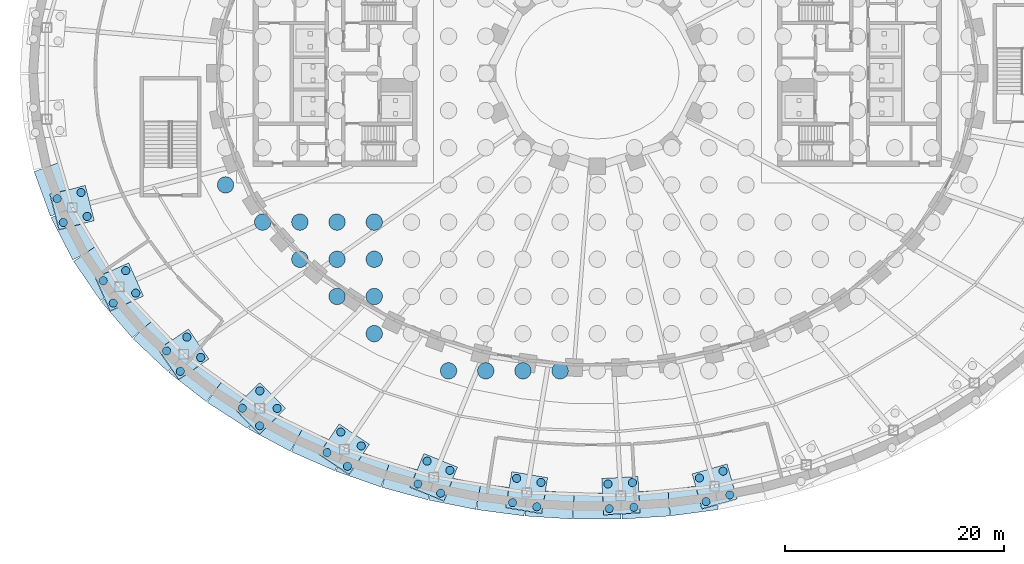
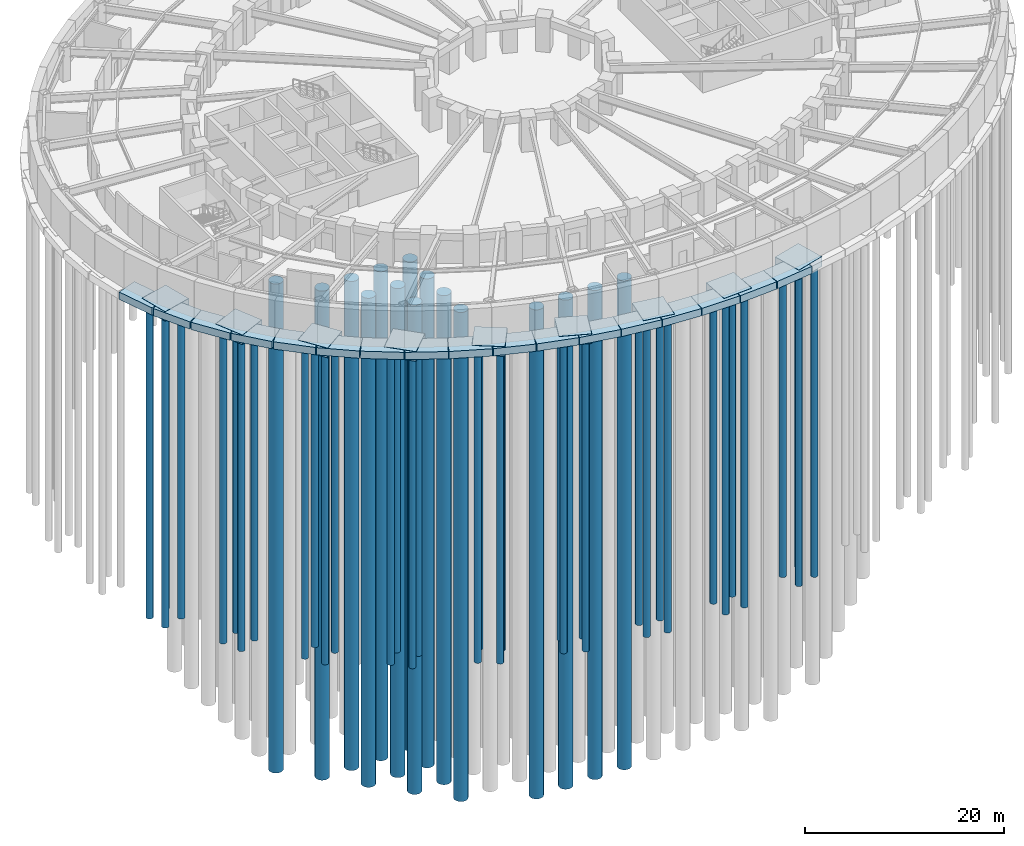
# One storey, part 1 of 19: 51 piles, 26 footings.
"""IFC4 building model written with IfcOpenShell, lengths in metres."""

from ifc_helpers import new_model, si_unit, direction, frame, origin, origin_2d, place, context, subcontext, project, spatial, polyline, circle, outline, extrude, material, layer, layer_set, material_profile, profile_set, type_object, element, save


model = new_model("IFC4")

# Units and contexts
model_context = context("Model", 3, precision=1e-05, world=origin(), true_north=direction((0.0, 1.0)))
body_context = subcontext(model_context, "Body", "Model", "MODEL_VIEW")
ifc_project = project(units=[si_unit("LENGTHUNIT", "METRE"), si_unit("AREAUNIT", "SQUARE_METRE"), si_unit("VOLUMEUNIT", "CUBIC_METRE"), si_unit("PLANEANGLEUNIT", "RADIAN"), si_unit("MASSUNIT", "GRAM", prefix="KILO")], contexts=[model_context])

# Site, building, storey
site_placement = place(None, origin())
site = spatial("IfcSite", under=ifc_project, at=site_placement, CompositionType="ELEMENT")
building_placement = place(site_placement, origin())
building = spatial("IfcBuilding", under=site, at=building_placement, Name="Noorbagh Ring Tower", CompositionType="ELEMENT")
storey_placement = place(building_placement, frame((0.0, 0.0, -8.39990234375)))
storey = spatial("IfcBuildingStorey", under=building, at=storey_placement, Name="B2", CompositionType="ELEMENT", Elevation=-8.39990234375)

# Footings
ifc_material_1 = material(Name="Concrete C50/60", Category="concrete")
ifc_layer_1 = layer(ifc_material_1, 1.199951171875)
ifc_layer_set_1 = layer_set([ifc_layer_1], Name="Concrete C50/60")
footing_type_1 = type_object("IfcFootingType", Name="GND-PODIUM-CAP", PredefinedType="PILE_CAP", material=ifc_layer_set_1)
footing_1_placement = place(storey_placement, frame((0.0, 0.0, -1.5)))
element("IfcFooting", 1, at=footing_1_placement, inside=storey, type_object=footing_type_1, Name="B2/cap/RP-19", PredefinedType="PILE_CAP", context=body_context, shape_type="SweptSolid", body=[
    extrude(outline(polyline([(-46.82470703125, -10.24755859375), (-50.04150390625, -11.0693359375), (-49.219970703125, -14.2861328125), (-46.003173828125, -13.46435546875), (-46.82470703125, -10.24755859375)])), origin(), (0.0, 0.0, 1.0), 1.199951171875),
])
footing_2_placement = place(storey_placement, frame((0.0, 0.0, -1.5)))
element("IfcFooting", 2, at=footing_2_placement, inside=storey, type_object=footing_type_1, Name="B2/cap/RP-20", PredefinedType="PILE_CAP", context=body_context, shape_type="SweptSolid", body=[
    extrude(outline(polyline([(-42.85791015625, -17.33203125), (-45.88916015625, -18.6865234375), (-44.53466796875, -21.7177734375), (-41.503662109375, -20.36328125), (-42.85791015625, -17.33203125)])), origin(), (0.0, 0.0, 1.0), 1.199951171875),
])
footing_3_placement = place(storey_placement, frame((0.0, 0.0, -1.5)))
element("IfcFooting", 3, at=footing_3_placement, inside=storey, type_object=footing_type_1, Name="B2/cap/RP-21", PredefinedType="PILE_CAP", context=body_context, shape_type="SweptSolid", body=[
    extrude(outline(polyline([(-37.391845703125, -23.3740234375), (-40.138916015625, -25.238525390625), (-38.2744140625, -27.985595703125), (-35.52734375, -26.12109375), (-37.391845703125, -23.3740234375)])), origin(), (0.0, 0.0, 1.0), 1.199951171875),
])
footing_4_placement = place(storey_placement, frame((0.0, 0.0, -1.5)))
element("IfcFooting", 4, at=footing_4_placement, inside=storey, type_object=footing_type_1, Name="B2/cap/RP-22", PredefinedType="PILE_CAP", context=body_context, shape_type="SweptSolid", body=[
    extrude(outline(polyline([(-30.860107421875, -28.281494140625), (-33.216796875, -30.619873046875), (-30.87841796875, -32.9765625), (-28.521728515625, -30.63818359375), (-30.860107421875, -28.281494140625)])), origin(), (0.0, 0.0, 1.0), 1.199951171875),
])
footing_5_placement = place(storey_placement, frame((0.0, 0.0, -1.5)))
element("IfcFooting", 5, at=footing_5_placement, inside=storey, type_object=footing_type_1, Name="B2/cap/RP-23", PredefinedType="PILE_CAP", context=body_context, shape_type="SweptSolid", body=[
    extrude(outline(polyline([(-23.601806640625, -32.0634765625), (-25.456787109375, -34.81689453125), (-22.703125, -36.671875), (-20.848388671875, -33.918212890625), (-23.601806640625, -32.0634765625)])), origin(), (0.0, 0.0, 1.0), 1.199951171875),
])
footing_6_placement = place(storey_placement, frame((0.0, 0.0, -1.5)))
element("IfcFooting", 6, at=footing_6_placement, inside=storey, type_object=footing_type_1, Name="B2/cap/RP-24", PredefinedType="PILE_CAP", context=body_context, shape_type="SweptSolid", body=[
    extrude(outline(polyline([(-15.862060546875, -34.763427734375), (-17.107666015625, -37.8408203125), (-14.030029296875, -39.086669921875), (-12.784423828125, -36.009033203125), (-15.862060546875, -34.763427734375)])), origin(), (0.0, 0.0, 1.0), 1.199951171875),
])
footing_7_placement = place(storey_placement, frame((0.0, 0.0, -1.5)))
element("IfcFooting", 7, at=footing_7_placement, inside=storey, type_object=footing_type_1, Name="B2/cap/RP-25", PredefinedType="PILE_CAP", context=body_context, shape_type="SweptSolid", body=[
    extrude(outline(polyline([(-7.8154296875, -36.421142578125), (-8.36669921875, -39.695068359375), (-5.0927734375, -40.24609375), (-4.54150390625, -36.97216796875), (-7.8154296875, -36.421142578125)])), origin(), (0.0, 0.0, 1.0), 1.199951171875),
])
footing_8_placement = place(storey_placement, frame((0.0, 0.0, -1.5)))
element("IfcFooting", 8, at=footing_8_placement, inside=storey, type_object=footing_type_1, Name="B2/cap/RP-26", PredefinedType="PILE_CAP", context=body_context, shape_type="SweptSolid", body=[
    extrude(outline(polyline([(0.404541015625, -37.04931640625), (0.589599609375, -40.364013671875), (3.904541015625, -40.17919921875), (3.719482421875, -36.8642578125), (0.404541015625, -37.04931640625)])), origin(), (0.0, 0.0, 1.0), 1.199951171875),
])
footing_9_placement = place(storey_placement, frame((0.0, 0.0, -1.5)))
element("IfcFooting", 9, at=footing_9_placement, inside=storey, type_object=footing_type_1, Name="B2/cap/RP-27", PredefinedType="PILE_CAP", context=body_context, shape_type="SweptSolid", body=[
    extrude(outline(polyline([(8.67431640625, -36.627685546875), (9.5810546875, -39.821533203125), (12.77490234375, -38.914794921875), (11.8681640625, -35.720947265625), (8.67431640625, -36.627685546875)])), origin(), (0.0, 0.0, 1.0), 1.199951171875),
])

# Piles
ifc_material_2 = material(Name="Concrete C50/60", Category="concrete")
ifc_material_profile_1 = material_profile(ifc_material_2, circle(Radius=0.375, at=origin_2d()), Name="PILE750")
ifc_profile_set_1 = profile_set([ifc_material_profile_1], Name="Concrete C50/60")
pile_type_1 = type_object("IfcPileType", Name="GND-PODIUM-PILE", PredefinedType="BORED", material=ifc_profile_set_1)
for number, where, z_axis, x_axis, name in (
    (10, (-47.210693359375, -10.8984375, -1.400146484375), (0.0, 0.0, -1.0), (1.0, 0.0, 0.0), "B2/pile/RP-19-1"),
    (11, (-46.65380859375, -13.078369140625, -1.400146484375), (0.0, 0.0, -1.0), (1.0, 0.0, 0.0), "B2/pile/RP-19-2"),
    (12, (-49.390869140625, -11.455322265625, -1.400146484375), (0.0, 0.0, -1.0), (1.0, 0.0, 0.0), "B2/pile/RP-19-3"),
    (13, (-48.833984375, -13.63525390625, -1.400146484375), (0.0, 0.0, -1.0), (1.0, 0.0, 0.0), "B2/pile/RP-19-4"),
    (14, (-43.128173828125, -18.038818359375, -1.400146484375), (0.0, 0.0, -1.0), (1.0, 0.0, 0.0), "B2/pile/RP-20-1"),
    (15, (-42.210205078125, -20.093017578125, -1.400146484375), (0.0, 0.0, -1.0), (1.0, 0.0, 0.0), "B2/pile/RP-20-2"),
    (16, (-45.182373046875, -18.956787109375, -1.400146484375), (0.0, 0.0, -1.0), (1.0, 0.0, 0.0), "B2/pile/RP-20-3"),
    (17, (-44.264404296875, -21.010986328125, -1.400146484375), (0.0, 0.0, -1.0), (1.0, 0.0, 0.0), "B2/pile/RP-20-4"),
    (18, (-37.5341796875, -24.1171875, -1.400146484375), (0.0, 0.0, -1.0), (1.0, 0.0, 0.0), "B2/pile/RP-21-1"),
    (19, (-36.2705078125, -25.978759765625, -1.400146484375), (0.0, 0.0, -1.0), (1.0, 0.0, 0.0), "B2/pile/RP-21-2"),
    (20, (-39.395751953125, -25.380859375, -1.400146484375), (0.0, 0.0, -1.0), (1.0, 0.0, 0.0), "B2/pile/RP-21-3"),
    (21, (-38.132080078125, -27.242431640625, -1.400146484375), (0.0, 0.0, -1.0), (1.0, 0.0, 0.0), "B2/pile/RP-21-4"),
    (22, (-30.863037109375, -29.0380859375, -1.400146484375), (0.0, 0.0, -1.0), (1.0, 0.0, 0.0), "B2/pile/RP-22-1"),
    (23, (-29.2783203125, -30.63525390625, -1.400146484375), (0.0, 0.0, -1.0), (1.0, 0.0, 0.0), "B2/pile/RP-22-2"),
    (24, (-32.460205078125, -30.622802734375, -1.400146484375), (0.0, 0.0, -1.0), (1.0, 0.0, 0.0), "B2/pile/RP-22-3"),
    (25, (-30.87548828125, -32.219970703125, -1.400146484375), (0.0, 0.0, -1.0), (1.0, 0.0, 0.0), "B2/pile/RP-22-4"),
    (26, (-23.45703125, -32.805908203125, -1.400146484375), (0.0, 0.0, -1.0), (1.0, 0.0, 0.0), "B2/pile/RP-23-1"),
    (27, (-21.5908203125, -34.063232421875, -1.400146484375), (0.0, 0.0, -1.0), (1.0, 0.0, 0.0), "B2/pile/RP-23-2"),
    (28, (-24.714111328125, -34.672119140625, -1.400146484375), (0.0, 0.0, -1.0), (1.0, 0.0, 0.0), "B2/pile/RP-23-3"),
    (29, (-22.847900390625, -35.92919921875, -1.400146484375), (0.0, 0.0, -1.0), (1.0, 0.0, 0.0), "B2/pile/RP-23-4"),
    (30, (-15.566650390625, -35.460205078125, -1.400146484375), (0.0, 0.0, -1.0), (1.0, 0.0, 0.0), "B2/pile/RP-24-1"),
    (31, (-13.481201171875, -36.30419921875, -1.400146484375), (0.0, 0.0, -1.0), (1.0, 0.0, 0.0), "B2/pile/RP-24-2"),
    (32, (-16.410888671875, -37.545654296875, -1.400146484375), (0.0, 0.0, -1.0), (1.0, 0.0, 0.0), "B2/pile/RP-24-3"),
    (33, (-14.325439453125, -38.389892578125, -1.400146484375), (0.0, 0.0, -1.0), (1.0, 0.0, 0.0), "B2/pile/RP-24-4"),
    (34, (-7.376708984375, -37.037353515625, -1.400146484375), (0.0, 0.0, -1.0), (1.0, 0.0, 0.0), "B2/pile/RP-25-1"),
    (35, (-5.157958984375, -37.410888671875, -1.400146484375), (0.0, 0.0, -1.0), (1.0, 0.0, 0.0), "B2/pile/RP-25-2"),
    (36, (-7.750244140625, -39.256103515625, -1.400146484375), (0.0, 0.0, -1.0), (1.0, 0.0, 0.0), "B2/pile/RP-25-3"),
    (37, (-5.531494140625, -39.6298828125, -1.400146484375), (0.0, 0.0, -1.0), (1.0, 0.0, 0.0), "B2/pile/RP-25-4"),
    (38, (0.968505859375, -37.5537109375, -1.400146484375), (0.0, 0.0, -1.0), (1.0, 0.0, 0.0), "B2/pile/RP-26-1"),
    (39, (3.215087890625, -37.42822265625, -1.400146484375), (0.0, 0.0, -1.0), (1.0, 0.0, 0.0), "B2/pile/RP-26-2"),
    (40, (1.093994140625, -39.800048828125, -1.400146484375), (0.0, 0.0, -1.0), (1.0, 0.0, 0.0), "B2/pile/RP-26-3"),
    (41, (3.34033203125, -39.6748046875, -1.400146484375), (0.0, 0.0, -1.0), (1.0, 0.0, 0.0), "B2/pile/RP-26-4"),
    (42, (9.335205078125, -36.996337890625, -1.400146484375), (0.0, 0.0, -1.0), (1.0, 0.0, 0.0), "B2/pile/RP-27-1"),
    (43, (11.49951171875, -36.3818359375, -1.400146484375), (0.0, 0.0, -1.0), (1.0, 0.0, 0.0), "B2/pile/RP-27-2"),
    (44, (9.94970703125, -39.160888671875, -1.400146484375), (0.0, 0.0, -1.0), (1.0, 0.0, 0.0), "B2/pile/RP-27-3"),
    (45, (12.114013671875, -38.546142578125, -1.400146484375), (0.0, 0.0, -1.0), (1.0, 0.0, 0.0), "B2/pile/RP-27-4"),
):
    element("IfcPile", number, at=place(storey_placement, frame(where, z_axis=z_axis, x_axis=x_axis)), inside=storey, type_object=pile_type_1, Name=name, PredefinedType="BORED", context=body_context, shape_type="SweptSolid", body=[
        extrude(circle(Radius=0.375, at=origin_2d()), origin(), (0.0, 0.0, 1.0), 38.0),
    ])
ifc_material_3 = material(Name="Concrete C40/50", Category="concrete")
ifc_material_profile_2 = material_profile(ifc_material_3, circle(Radius=0.75, at=origin_2d()), Name="PILE1500")
ifc_profile_set_2 = profile_set([ifc_material_profile_2], Name="Concrete C40/50")
pile_type_2 = type_object("IfcPileType", Name="STR-PILE", PredefinedType="BORED", material=ifc_profile_set_2)
for number, where, z_axis, x_axis, name in (
    (46, (-34.0, -10.199951171875, -4.2001953125), (0.0, 0.0, -1.0), (1.0, 0.0, 0.0), "B2/pile/001"),
    (47, (-30.60009765625, -13.60009765625, -4.2001953125), (0.0, 0.0, -1.0), (1.0, 0.0, 0.0), "B2/pile/008"),
    (48, (-27.199951171875, -17.0, -4.2001953125), (0.0, 0.0, -1.0), (1.0, 0.0, 0.0), "B2/pile/010"),
    (49, (-27.199951171875, -13.60009765625, -4.2001953125), (0.0, 0.0, -1.0), (1.0, 0.0, 0.0), "B2/pile/011"),
    (50, (-23.800048828125, -20.39990234375, -4.2001953125), (0.0, 0.0, -1.0), (1.0, 0.0, 0.0), "B2/pile/014"),
    (51, (-23.800048828125, -17.0, -4.2001953125), (0.0, 0.0, -1.0), (1.0, 0.0, 0.0), "B2/pile/015"),
    (52, (-23.800048828125, -13.60009765625, -4.2001953125), (0.0, 0.0, -1.0), (1.0, 0.0, 0.0), "B2/pile/016"),
    (53, (-20.39990234375, -23.800048828125, -4.2001953125), (0.0, 0.0, -1.0), (1.0, 0.0, 0.0), "B2/pile/020"),
    (54, (-20.39990234375, -20.39990234375, -4.2001953125), (0.0, 0.0, -1.0), (1.0, 0.0, 0.0), "B2/pile/021"),
    (55, (-20.39990234375, -17.0, -4.2001953125), (0.0, 0.0, -1.0), (1.0, 0.0, 0.0), "B2/pile/022"),
    (56, (-20.39990234375, -13.60009765625, -4.2001953125), (0.0, 0.0, -1.0), (1.0, 0.0, 0.0), "B2/pile/023"),
    (57, (-13.60009765625, -27.199951171875, -4.2001953125), (0.0, 0.0, -1.0), (1.0, 0.0, 0.0), "B2/pile/036"),
    (58, (-10.199951171875, -27.199951171875, -4.2001953125), (0.0, 0.0, -1.0), (1.0, 0.0, 0.0), "B2/pile/053"),
    (59, (-6.800048828125, -27.199951171875, -4.2001953125), (0.0, 0.0, -1.0), (1.0, 0.0, 0.0), "B2/pile/070"),
    (60, (-3.39990234375, -27.199951171875, -4.2001953125), (0.0, 0.0, -1.0), (1.0, 0.0, 0.0), "B2/pile/084"),
):
    element("IfcPile", number, at=place(storey_placement, frame(where, z_axis=z_axis, x_axis=x_axis)), inside=storey, type_object=pile_type_2, Name=name, PredefinedType="BORED", context=body_context, shape_type="SweptSolid", body=[
        extrude(circle(Radius=0.75, at=origin_2d()), origin(), (0.0, 0.0, 1.0), 60.0),
    ])

# Footings
ifc_material_4 = material(Name="Concrete C40/50", Category="concrete")
ifc_layer_2 = layer(ifc_material_4, 0.89990234375)
ifc_layer_set_2 = layer_set([ifc_layer_2], Name="Concrete C40/50")
footing_type_2 = type_object("IfcFootingType", Name="STR-RETAINING-FOOTING", PredefinedType="STRIP_FOOTING", material=ifc_layer_set_2)
footing_10_placement = place(storey_placement, frame((0.0, 0.0, -1.2001953125)))
element("IfcFooting", 61, at=footing_10_placement, inside=storey, type_object=footing_type_2, Name="B2/footing/ret-36", PredefinedType="STRIP_FOOTING", context=body_context, shape_type="SweptSolid", body=[
    extrude(outline(polyline([(-50.022216796875, -13.05810546875), (-51.50390625, -8.977294921875), (-49.248046875, -8.158203125), (-48.35498046875, -10.617919921875), (-50.04638671875, -11.0498046875), (-50.04833984375, -11.050537109375), (-50.05029296875, -11.05126953125), (-50.052001953125, -11.05224609375), (-50.053466796875, -11.05322265625), (-50.054931640625, -11.0546875), (-50.056396484375, -11.055908203125), (-50.0576171875, -11.0576171875), (-50.05859375, -11.05908203125), (-50.059814453125, -11.060791015625), (-50.060302734375, -11.062744140625), (-50.06103515625, -11.064453125), (-50.061279296875, -11.06640625), (-50.0615234375, -11.068359375), (-50.0615234375, -11.0703125), (-50.061279296875, -11.072265625), (-50.060791015625, -11.07421875), (-49.593994140625, -12.902587890625), (-50.022216796875, -13.05810546875)])), origin(), (0.0, 0.0, 1.0), 0.900146484375),
])
footing_11_placement = place(storey_placement, frame((0.0, 0.0, -1.2001953125)))
element("IfcFooting", 62, at=footing_11_placement, inside=storey, type_object=footing_type_2, Name="B2/footing/ret-37", PredefinedType="STRIP_FOOTING", context=body_context, shape_type="SweptSolid", body=[
    extrude(outline(polyline([(-47.96484375, -17.0595703125), (-49.96044921875, -13.19970703125), (-49.569580078125, -12.997802734375), (-49.2392578125, -14.291015625), (-49.23876953125, -14.29296875), (-49.23779296875, -14.294677734375), (-49.237060546875, -14.29638671875), (-49.23583984375, -14.298095703125), (-49.234619140625, -14.299560546875), (-49.233154296875, -14.30078125), (-49.231689453125, -14.302001953125), (-49.22998046875, -14.30322265625), (-49.228271484375, -14.30419921875), (-49.2265625, -14.304931640625), (-49.224609375, -14.305419921875), (-49.22265625, -14.305908203125), (-49.220703125, -14.305908203125), (-49.21875, -14.305908203125), (-49.216796875, -14.305908203125), (-49.21484375, -14.305419921875), (-46.98193359375, -13.735107421875), (-45.8330078125, -15.957275390625), (-47.96484375, -17.0595703125)])), origin(), (0.0, 0.0, 1.0), 0.900146484375),
])
footing_12_placement = place(storey_placement, frame((0.0, 0.0, -1.2001953125)))
element("IfcFooting", 63, at=footing_12_placement, inside=storey, type_object=footing_type_2, Name="B2/footing/ret-38", PredefinedType="STRIP_FOOTING", context=body_context, shape_type="SweptSolid", body=[
    extrude(outline(polyline([(-45.44384765625, -20.77880859375), (-47.890869140625, -17.18359375), (-45.906982421875, -15.8330078125), (-44.4248046875, -18.010498046875), (-45.897216796875, -18.668212890625), (-45.899169921875, -18.669189453125), (-45.900634765625, -18.670166015625), (-45.90234375, -18.67138671875), (-45.90380859375, -18.6728515625), (-45.90478515625, -18.67431640625), (-45.906005859375, -18.67578125), (-45.906982421875, -18.677490234375), (-45.90771484375, -18.679443359375), (-45.908447265625, -18.681396484375), (-45.908935546875, -18.68310546875), (-45.9091796875, -18.68505859375), (-45.9091796875, -18.68701171875), (-45.908935546875, -18.689208984375), (-45.90869140625, -18.69091796875), (-45.908203125, -18.69287109375), (-45.907470703125, -18.694580078125), (-45.085205078125, -20.53466796875), (-45.44384765625, -20.77880859375)])), origin(), (0.0, 0.0, 1.0), 0.900146484375),
])
footing_13_placement = place(storey_placement, frame((0.0, 0.0, -1.2001953125)))
element("IfcFooting", 64, at=footing_13_placement, inside=storey, type_object=footing_type_2, Name="B2/footing/ret-39", PredefinedType="STRIP_FOOTING", context=body_context, shape_type="SweptSolid", body=[
    extrude(outline(polyline([(-42.527099609375, -24.187744140625), (-45.3623046875, -20.885009765625), (-45.048828125, -20.615966796875), (-44.552978515625, -21.725830078125), (-44.552001953125, -21.7275390625), (-44.551025390625, -21.729248046875), (-44.5498046875, -21.730712890625), (-44.548583984375, -21.732177734375), (-44.547119140625, -21.7333984375), (-44.54541015625, -21.734619140625), (-44.543701171875, -21.735595703125), (-44.5419921875, -21.736328125), (-44.5400390625, -21.737060546875), (-44.5380859375, -21.7373046875), (-44.5361328125, -21.73779296875), (-44.5341796875, -21.73779296875), (-44.5322265625, -21.737548828125), (-44.5302734375, -21.7373046875), (-44.5283203125, -21.73681640625), (-44.526611328125, -21.736083984375), (-42.31640625, -20.74853515625), (-40.7060546875, -22.62451171875), (-42.527099609375, -24.187744140625)])), origin(), (0.0, 0.0, 1.0), 0.900146484375),
])
footing_14_placement = place(storey_placement, frame((0.0, 0.0, -1.2001953125)))
element("IfcFooting", 65, at=footing_14_placement, inside=storey, type_object=footing_type_2, Name="B2/footing/ret-40", PredefinedType="STRIP_FOOTING", context=body_context, shape_type="SweptSolid", body=[
    extrude(outline(polyline([(-39.2783203125, -27.2724609375), (-42.441650390625, -24.27734375), (-40.79150390625, -22.53466796875), (-38.870361328125, -24.353515625), (-40.150146484375, -25.22216796875), (-40.151611328125, -25.223388671875), (-40.153076171875, -25.224609375), (-40.154296875, -25.22607421875), (-40.155517578125, -25.2275390625), (-40.156494140625, -25.229248046875), (-40.157470703125, -25.231201171875), (-40.158203125, -25.23291015625), (-40.158447265625, -25.23486328125), (-40.15869140625, -25.23681640625), (-40.158935546875, -25.23876953125), (-40.15869140625, -25.24072265625), (-40.158447265625, -25.24267578125), (-40.157958984375, -25.24462890625), (-40.1572265625, -25.246337890625), (-40.156494140625, -25.248291015625), (-40.155517578125, -25.25), (-38.989501953125, -26.967529296875), (-39.2783203125, -27.2724609375)])), origin(), (0.0, 0.0, 1.0), 0.900146484375),
])
footing_15_placement = place(storey_placement, frame((0.0, 0.0, -1.2001953125)))
element("IfcFooting", 66, at=footing_15_placement, inside=storey, type_object=footing_type_2, Name="B2/footing/ret-41", PredefinedType="STRIP_FOOTING", context=body_context, shape_type="SweptSolid", body=[
    extrude(outline(polyline([(-35.75390625, -30.0283203125), (-39.191162109375, -27.34716796875), (-38.945556640625, -27.0322265625), (-38.291015625, -27.996826171875), (-38.289794921875, -27.998291015625), (-38.288330078125, -28.0), (-38.286865234375, -28.001220703125), (-38.285400390625, -28.002197265625), (-38.28369140625, -28.00341796875), (-38.281982421875, -28.004150390625), (-38.280029296875, -28.0048828125), (-38.278076171875, -28.00537109375), (-38.276123046875, -28.005615234375), (-38.274169921875, -28.005615234375), (-38.272216796875, -28.005615234375), (-38.270263671875, -28.005126953125), (-38.268310546875, -28.004638671875), (-38.2666015625, -28.00390625), (-38.264892578125, -28.003173828125), (-38.26318359375, -28.002197265625), (-36.223876953125, -26.617919921875), (-34.27783203125, -28.1357421875), (-35.75390625, -30.0283203125)])), origin(), (0.0, 0.0, 1.0), 0.900146484375),
])
footing_16_placement = place(storey_placement, frame((0.0, 0.0, -1.2001953125)))
element("IfcFooting", 67, at=footing_16_placement, inside=storey, type_object=footing_type_2, Name="B2/footing/ret-42", PredefinedType="STRIP_FOOTING", context=body_context, shape_type="SweptSolid", body=[
    extrude(outline(polyline([(-32.002685546875, -32.45654296875), (-35.666748046875, -30.090087890625), (-34.36474609375, -28.073974609375), (-32.13232421875, -29.515625), (-33.23095703125, -30.605712890625), (-33.232421875, -30.607177734375), (-33.2333984375, -30.60888671875), (-33.234619140625, -30.6103515625), (-33.2353515625, -30.6123046875), (-33.236083984375, -30.614013671875), (-33.236572265625, -30.615966796875), (-33.23681640625, -30.617919921875), (-33.23681640625, -30.619873046875), (-33.23681640625, -30.621826171875), (-33.236572265625, -30.623779296875), (-33.236083984375, -30.625732421875), (-33.2353515625, -30.62744140625), (-33.234619140625, -30.62939453125), (-33.233642578125, -30.631103515625), (-33.232421875, -30.632568359375), (-33.231201171875, -30.634033203125), (-31.77392578125, -32.1025390625), (-32.002685546875, -32.45654296875)])), origin(), (0.0, 0.0, 1.0), 0.900146484375),
])
footing_17_placement = place(storey_placement, frame((0.0, 0.0, -1.2001953125)))
element("IfcFooting", 68, at=footing_17_placement, inside=storey, type_object=footing_type_2, Name="B2/footing/ret-43", PredefinedType="STRIP_FOOTING", context=body_context, shape_type="SweptSolid", body=[
    extrude(outline(polyline([(-28.06640625, -34.5625), (-31.91650390625, -32.507080078125), (-31.726318359375, -32.150634765625), (-30.892578125, -32.99072265625), (-30.89111328125, -32.9921875), (-30.8896484375, -32.993408203125), (-30.887939453125, -32.994384765625), (-30.88623046875, -32.9951171875), (-30.884521484375, -32.995849609375), (-30.882568359375, -32.996337890625), (-30.880615234375, -32.99658203125), (-30.878662109375, -32.99658203125), (-30.876708984375, -32.99658203125), (-30.874755859375, -32.996337890625), (-30.872802734375, -32.995849609375), (-30.870849609375, -32.9951171875), (-30.869140625, -32.994384765625), (-30.867431640625, -32.993408203125), (-30.865966796875, -32.9921875), (-30.864501953125, -32.990966796875), (-29.1328125, -31.272705078125), (-26.936279296875, -32.445068359375), (-28.06640625, -34.5625)])), origin(), (0.0, 0.0, 1.0), 0.900146484375),
])
footing_18_placement = place(storey_placement, frame((0.0, 0.0, -1.2001953125)))
element("IfcFooting", 69, at=footing_18_placement, inside=storey, type_object=footing_type_2, Name="B2/footing/ret-44", PredefinedType="STRIP_FOOTING", context=body_context, shape_type="SweptSolid", body=[
    extrude(outline(polyline([(-23.981201171875, -36.351806640625), (-27.98193359375, -34.603271484375), (-27.020751953125, -32.404296875), (-24.575439453125, -33.472900390625), (-25.473388671875, -34.8056640625), (-25.474365234375, -34.807373046875), (-25.47509765625, -34.80908203125), (-25.475830078125, -34.81103515625), (-25.476318359375, -34.81298828125), (-25.4765625, -34.814697265625), (-25.476806640625, -34.81689453125), (-25.4765625, -34.81884765625), (-25.476318359375, -34.82080078125), (-25.475830078125, -34.822509765625), (-25.47509765625, -34.824462890625), (-25.474365234375, -34.826171875), (-25.473388671875, -34.827880859375), (-25.47216796875, -34.82958984375), (-25.470947265625, -34.8310546875), (-25.469482421875, -34.832275390625), (-25.468017578125, -34.83349609375), (-23.806640625, -35.95263671875), (-23.981201171875, -36.351806640625)])), origin(), (0.0, 0.0, 1.0), 0.900146484375),
])
footing_19_placement = place(storey_placement, frame((0.0, 0.0, -1.2001953125)))
element("IfcFooting", 70, at=footing_19_placement, inside=storey, type_object=footing_type_2, Name="B2/footing/ret-45", PredefinedType="STRIP_FOOTING", context=body_context, shape_type="SweptSolid", body=[
    extrude(outline(polyline([(-19.777099609375, -37.83154296875), (-23.898193359375, -36.384521484375), (-23.758056640625, -35.9853515625), (-22.71435546875, -36.6884765625), (-22.712646484375, -36.689453125), (-22.7109375, -36.690185546875), (-22.708984375, -36.69091796875), (-22.707275390625, -36.69140625), (-22.705078125, -36.691650390625), (-22.703369140625, -36.69189453125), (-22.701416015625, -36.691650390625), (-22.699462890625, -36.69140625), (-22.697509765625, -36.69091796875), (-22.695556640625, -36.690185546875), (-22.69384765625, -36.689453125), (-22.692138671875, -36.6884765625), (-22.690673828125, -36.687255859375), (-22.689208984375, -36.68603515625), (-22.687744140625, -36.6845703125), (-22.6865234375, -36.68310546875), (-21.3701171875, -34.728515625), (-18.98193359375, -35.567138671875), (-19.777099609375, -37.83154296875)])), origin(), (0.0, 0.0, 1.0), 0.900146484375),
])
footing_20_placement = place(storey_placement, frame((0.0, 0.0, -1.2001953125)))
element("IfcFooting", 71, at=footing_20_placement, inside=storey, type_object=footing_type_2, Name="B2/footing/ret-46", PredefinedType="STRIP_FOOTING", context=body_context, shape_type="SweptSolid", body=[
    extrude(outline(polyline([(-15.480712890625, -39.0078125), (-19.695556640625, -37.85693359375), (-19.0634765625, -35.541748046875), (-16.483642578125, -36.24609375), (-17.126220703125, -37.83349609375), (-17.126708984375, -37.835205078125), (-17.127197265625, -37.837158203125), (-17.12744140625, -37.839111328125), (-17.127685546875, -37.841064453125), (-17.12744140625, -37.843017578125), (-17.127197265625, -37.844970703125), (-17.126708984375, -37.846923828125), (-17.1259765625, -37.8486328125), (-17.125244140625, -37.8505859375), (-17.1240234375, -37.852294921875), (-17.123046875, -37.853759765625), (-17.12158203125, -37.855224609375), (-17.1201171875, -37.8564453125), (-17.11865234375, -37.857666015625), (-17.116943359375, -37.858642578125), (-17.114990234375, -37.859619140625), (-15.361083984375, -38.5693359375), (-15.480712890625, -39.0078125)])), origin(), (0.0, 0.0, 1.0), 0.900146484375),
])
footing_21_placement = place(storey_placement, frame((0.0, 0.0, -1.2001953125)))
element("IfcFooting", 72, at=footing_21_placement, inside=storey, type_object=footing_type_2, Name="B2/footing/ret-47", PredefinedType="STRIP_FOOTING", context=body_context, shape_type="SweptSolid", body=[
    extrude(outline(polyline([(-11.115966796875, -39.885498046875), (-15.400634765625, -39.026611328125), (-15.31298828125, -38.5888671875), (-14.03759765625, -39.10498046875), (-14.035888671875, -39.105712890625), (-14.033935546875, -39.106201171875), (-14.031982421875, -39.1064453125), (-14.030029296875, -39.106689453125), (-14.028076171875, -39.1064453125), (-14.026123046875, -39.106201171875), (-14.024169921875, -39.105712890625), (-14.022216796875, -39.10498046875), (-14.0205078125, -39.10400390625), (-14.018798828125, -39.10302734375), (-14.017333984375, -39.101806640625), (-14.015869140625, -39.1005859375), (-14.0146484375, -39.09912109375), (-14.013427734375, -39.09765625), (-14.012451171875, -39.095947265625), (-14.01171875, -39.093994140625), (-13.17431640625, -37.025146484375), (-10.644287109375, -37.532470703125), (-11.115966796875, -39.885498046875)])), origin(), (0.0, 0.0, 1.0), 0.900146484375),
])
footing_22_placement = place(storey_placement, frame((0.0, 0.0, -1.2001953125)))
element("IfcFooting", 73, at=footing_22_placement, inside=storey, type_object=footing_type_2, Name="B2/footing/ret-48", PredefinedType="STRIP_FOOTING", context=body_context, shape_type="SweptSolid", body=[
    extrude(outline(polyline([(-6.70361328125, -40.46923828125), (-11.036865234375, -39.898681640625), (-10.723388671875, -37.519287109375), (-8.0791015625, -37.867431640625), (-8.38623046875, -39.691650390625), (-8.386474609375, -39.693603515625), (-8.38671875, -39.695556640625), (-8.386474609375, -39.697509765625), (-8.385986328125, -39.699462890625), (-8.385498046875, -39.701416015625), (-8.384765625, -39.703125), (-8.3837890625, -39.704833984375), (-8.3828125, -39.70654296875), (-8.381591796875, -39.7080078125), (-8.38037109375, -39.70947265625), (-8.37890625, -39.710693359375), (-8.377197265625, -39.7119140625), (-8.37548828125, -39.712890625), (-8.373779296875, -39.713623046875), (-8.371826171875, -39.71435546875), (-8.369873046875, -39.714599609375), (-6.642578125, -40.005615234375), (-6.70361328125, -40.46923828125)])), origin(), (0.0, 0.0, 1.0), 0.900146484375),
])
footing_23_placement = place(storey_placement, frame((0.0, 0.0, -1.2001953125)))
element("IfcFooting", 74, at=footing_23_placement, inside=storey, type_object=footing_type_2, Name="B2/footing/ret-49", PredefinedType="STRIP_FOOTING", context=body_context, shape_type="SweptSolid", body=[
    extrude(outline(polyline([(-2.263671875, -40.76171875), (-6.625244140625, -40.47705078125), (-6.594970703125, -40.013427734375), (-5.095947265625, -40.265869140625), (-5.093994140625, -40.26611328125), (-5.092041015625, -40.26611328125), (-5.090087890625, -40.26611328125), (-5.088134765625, -40.265625), (-5.086181640625, -40.26513671875), (-5.08447265625, -40.264404296875), (-5.082763671875, -40.263427734375), (-5.0810546875, -40.262451171875), (-5.07958984375, -40.26123046875), (-5.078125, -40.260009765625), (-5.076904296875, -40.25830078125), (-5.07568359375, -40.2568359375), (-5.07470703125, -40.255126953125), (-5.073974609375, -40.25341796875), (-5.073486328125, -40.25146484375), (-5.072998046875, -40.24951171875), (-4.727294921875, -38.19580078125), (-2.107421875, -38.36669921875), (-2.263671875, -40.76171875)])), origin(), (0.0, 0.0, 1.0), 0.900146484375),
])
footing_24_placement = place(storey_placement, frame((0.0, 0.0, -1.2001953125)))
element("IfcFooting", 75, at=footing_24_placement, inside=storey, type_object=footing_type_2, Name="B2/footing/ret-50", PredefinedType="STRIP_FOOTING", context=body_context, shape_type="SweptSolid", body=[
    extrude(outline(polyline([(2.185546875, -40.76416015625), (-2.185546875, -40.76416015625), (-2.185546875, -38.3642578125), (0.4580078125, -38.3642578125), (0.569580078125, -40.365234375), (0.56982421875, -40.3671875), (0.5703125, -40.369140625), (0.57080078125, -40.37109375), (0.571533203125, -40.372802734375), (0.572509765625, -40.37451171875), (0.573486328125, -40.376220703125), (0.57470703125, -40.377685546875), (0.576171875, -40.37890625), (0.577880859375, -40.38037109375), (0.579345703125, -40.38134765625), (0.5810546875, -40.38232421875), (0.5830078125, -40.383056640625), (0.584716796875, -40.383544921875), (0.5869140625, -40.3837890625), (0.588623046875, -40.384033203125), (0.5908203125, -40.384033203125), (2.185546875, -40.295166015625), (2.185546875, -40.76416015625)])), origin(), (0.0, 0.0, 1.0), 0.900146484375),
])
footing_25_placement = place(storey_placement, frame((0.0, 0.0, -1.2001953125)))
element("IfcFooting", 76, at=footing_25_placement, inside=storey, type_object=footing_type_2, Name="B2/footing/ret-51", PredefinedType="STRIP_FOOTING", context=body_context, shape_type="SweptSolid", body=[
    extrude(outline(polyline([(6.625244140625, -40.47705078125), (2.263671875, -40.76171875), (2.23291015625, -40.29248046875), (3.905517578125, -40.19921875), (3.907470703125, -40.198974609375), (3.909423828125, -40.198486328125), (3.911376953125, -40.197998046875), (3.9130859375, -40.197265625), (3.914794921875, -40.1962890625), (3.91650390625, -40.1953125), (3.91796875, -40.19384765625), (3.919189453125, -40.1923828125), (3.920654296875, -40.19091796875), (3.921630859375, -40.189208984375), (3.922607421875, -40.1875), (3.92333984375, -40.185791015625), (3.923828125, -40.183837890625), (3.92431640625, -40.181884765625), (3.92431640625, -40.179931640625), (3.92431640625, -40.177978515625), (3.817138671875, -38.255126953125), (6.468994140625, -38.08203125), (6.625244140625, -40.47705078125)])), origin(), (0.0, 0.0, 1.0), 0.900146484375),
])
footing_26_placement = place(storey_placement, frame((0.0, 0.0, -1.2001953125)))
element("IfcFooting", 77, at=footing_26_placement, inside=storey, type_object=footing_type_2, Name="B2/footing/ret-52", PredefinedType="STRIP_FOOTING", context=body_context, shape_type="SweptSolid", body=[
    extrude(outline(polyline([(11.036865234375, -39.898681640625), (6.70361328125, -40.46923828125), (6.390380859375, -38.08984375), (8.97216796875, -37.75), (9.56201171875, -39.826904296875), (9.5625, -39.828857421875), (9.563232421875, -39.830810546875), (9.564208984375, -39.83251953125), (9.5654296875, -39.833984375), (9.566650390625, -39.83544921875), (9.568115234375, -39.8369140625), (9.569580078125, -39.837890625), (9.5712890625, -39.839111328125), (9.5732421875, -39.83984375), (9.574951171875, -39.840576171875), (9.576904296875, -39.841064453125), (9.578857421875, -39.84130859375), (9.580810546875, -39.841552734375), (9.582763671875, -39.841552734375), (9.584716796875, -39.84130859375), (9.586669921875, -39.8408203125), (10.977294921875, -39.446044921875), (11.036865234375, -39.898681640625)])), origin(), (0.0, 0.0, 1.0), 0.900146484375),
])

save(model, "model.ifc")
